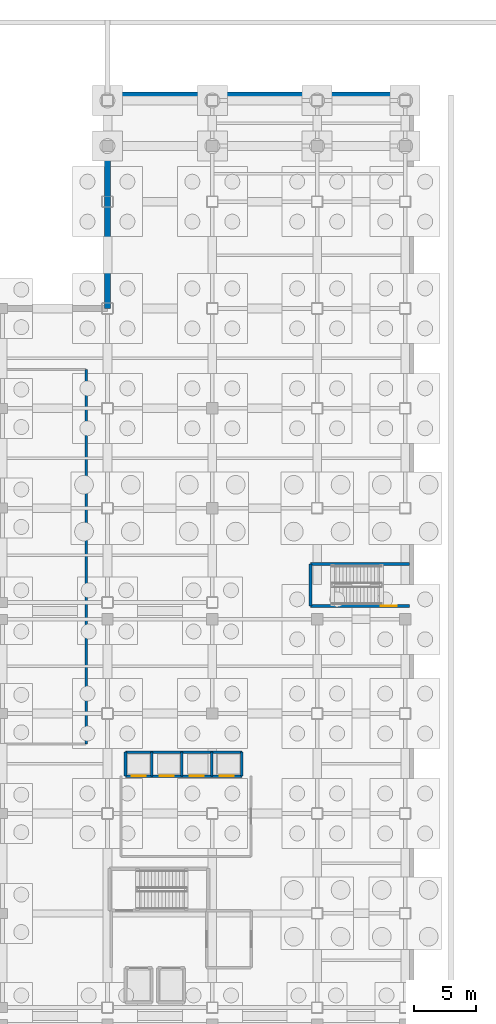
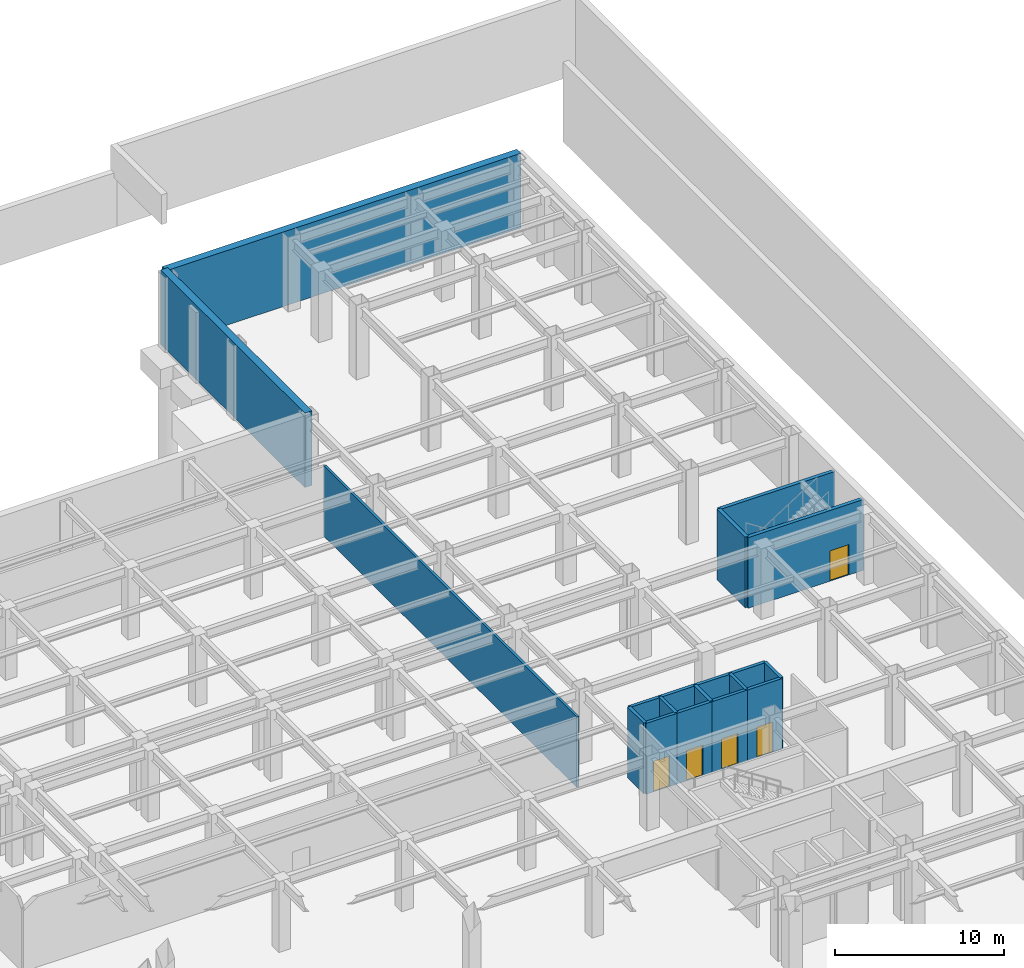
# One storey, part 39 of 55: 19 walls, 5 doors, 5 openings.
"""IFC4 building model written with IfcOpenShell, lengths in metres."""

from ifc_helpers import new_model, si_unit, direction, frame, frame_2d, origin, place, context, subcontext, project, spatial, rectangle, extrude, material, layer, layer_set, type_object, element, fill, save


model = new_model("IFC4")

# Units and contexts
model_context = context("Model", 3, precision=1e-05, world=origin(), true_north=direction((0.0, 1.0)))
body_context = subcontext(model_context, "Body", "Model", "MODEL_VIEW")
ifc_project = project(units=[si_unit("LENGTHUNIT", "METRE"), si_unit("AREAUNIT", "SQUARE_METRE"), si_unit("VOLUMEUNIT", "CUBIC_METRE"), si_unit("PLANEANGLEUNIT", "RADIAN"), si_unit("MASSUNIT", "GRAM", prefix="KILO")], contexts=[model_context])

# Site, building, storey
site_placement = place(None, origin())
site = spatial("IfcSite", under=ifc_project, at=site_placement, CompositionType="ELEMENT")
building_placement = place(site_placement, origin())
building = spatial("IfcBuilding", under=site, at=building_placement, Name="Kazehara Bluff Congress Hotel", CompositionType="ELEMENT")
storey_placement = place(building_placement, frame((0.0, 0.0, -5.39990234375)))
storey = spatial("IfcBuildingStorey", under=building, at=storey_placement, Name="B1", CompositionType="ELEMENT", Elevation=-5.39990234375)

# Walls
ifc_material_1 = material(Name="Concrete C40/50", Category="concrete")
ifc_layer_1 = layer(ifc_material_1, 0.25)
ifc_layer_set_1 = layer_set([ifc_layer_1], Name="Concrete C40/50")
wall_type_1 = type_object("IfcWallType", Name="TP-CW-RC", PredefinedType="SHEAR", material=ifc_layer_set_1)
wall_1_placement = place(storey_placement, frame((159.97509765625, 73.074951171875, 0.0), z_axis=(0.0, 0.0, 1.0), x_axis=(0.0, 1.0, 0.0)))
element("IfcWall", 1, at=wall_1_placement, inside=storey, type_object=wall_type_1, Name="B1 ST-12 core wall far", PredefinedType="SHEAR", context=body_context, shape_type="SweptSolid", body=[
    extrude(rectangle(XDim=3.35009765625, YDim=0.25, at=frame_2d((1.675048828125, 0.0))), origin(), (0.0, 0.0, 1.0), 5.119873046875),
])
wall_2_placement = place(storey_placement, frame((159.97509765625, 76.425048828125, 0.0), z_axis=(0.0, 0.0, 1.0), x_axis=(1.0, 0.0, 0.0)))
element("IfcWall", 2, at=wall_2_placement, inside=storey, type_object=wall_type_1, Name="B1 ST-12 core wall left", PredefinedType="SHEAR", context=body_context, shape_type="SweptSolid", body=[
    extrude(rectangle(XDim=7.89990234375, YDim=0.25, at=frame_2d((3.949951171875, 0.0))), origin(), (0.0, 0.0, 1.0), 5.119873046875),
])

# Wall, opening, door
wall_3_placement = place(storey_placement, frame((167.875, 73.074951171875, 0.0), z_axis=(0.0, 0.0, 1.0), x_axis=(-1.0, 0.0, 0.0)))
wall_3 = element("IfcWall", 3, at=wall_3_placement, inside=storey, type_object=wall_type_1, Name="B1 ST-12 core wall right", PredefinedType="SHEAR", context=body_context, shape_type="SweptSolid", body=[
    extrude(rectangle(XDim=7.89990234375, YDim=0.25, at=frame_2d((3.949951171875, 0.0))), origin(), (0.0, 0.0, 1.0), 5.119873046875),
])
opening_1_placement = place(wall_3_placement, frame((0.985107421875, 0.0, 0.0)))
opening_1 = element("IfcOpeningElement", 4, at=opening_1_placement, cuts=wall_3, Name="Opening FD-01", PredefinedType="OPENING", context=body_context, shape_type="SweptSolid", body=[
    extrude(rectangle(XDim=1.300048828125, YDim=2.199951171875, at=frame_2d((0.64990234375, 1.10009765625))), frame((0.0, 0.135009765625, 0.0), z_axis=(0.0, -1.0, 0.0), x_axis=(1.0, 0.0, 0.0)), (0.0, 0.0, 1.0), 0.27001953125),
])
ifc_material_2 = material(Name="Fire-rated painted steel leaf", Category="steel")
door_type_1 = type_object("IfcDoorType", Name="TP-FD-01", OperationType="NOTDEFINED", PredefinedType="DOOR", material=ifc_material_2)
door_1_placement = place(opening_1_placement, origin())
door_1 = element("IfcDoor", 5, at=door_1_placement, inside=storey, type_object=door_type_1, Name="B1 ST-12 fire stair door", OperationType="SINGLE_SWING_RIGHT", OverallHeight=2.199951171875, OverallWidth=1.300048828125, PredefinedType="DOOR", context=body_context, shape_type="SweptSolid", body=[
    extrude(rectangle(XDim=1.300048828125, YDim=2.199951171875, at=frame_2d((0.64990234375, 1.10009765625))), frame((0.0, 0.02490234375, 0.0), z_axis=(0.0, -1.0, 0.0), x_axis=(1.0, 0.0, 0.0)), (0.0, 0.0, 1.0), 0.050048828125),
])
fill(opening_1, door_1)

# Walls
ifc_material_3 = material(Name="Fire-rated gypsum board stud partition")
ifc_layer_2 = layer(ifc_material_3, 0.169921875)
ifc_layer_set_2 = layer_set([ifc_layer_2], Name="Fire-rated gypsum board stud partition")
wall_type_2 = type_object("IfcWallType", Name="TP-PT-180", PredefinedType="PARTITIONING", material=ifc_layer_set_2)
wall_4_placement = place(storey_placement, frame((142.0, 62.0, 0.0), z_axis=(0.0, 0.0, 1.0), x_axis=(0.0, 1.0, 0.0)))
element("IfcWall", 6, at=wall_4_placement, inside=storey, type_object=wall_type_2, Name="B1 partition PT-180 50", PredefinedType="PARTITIONING", context=body_context, shape_type="SweptSolid", body=[
    extrude(rectangle(XDim=30.0, YDim=0.169921875, at=frame_2d((15.0, 0.0))), origin(), (0.0, 0.0, 1.0), 5.10498046875),
])
ifc_material_4 = material(Name="Concrete C40/50", Category="concrete")
ifc_layer_3 = layer(ifc_material_4, 0.5)
ifc_layer_set_3 = layer_set([ifc_layer_3], Name="Concrete C40/50")
wall_type_3 = type_object("IfcWallType", Name="TP-RW-500", PredefinedType="USERDEFINED", material=ifc_layer_set_3)
wall_5_placement = place(storey_placement, frame((168.0, 114.0, 0.0), z_axis=(0.0, 0.0, 1.0), x_axis=(-1.0, 0.0, 0.0)))
element("IfcWall", 7, at=wall_5_placement, inside=storey, type_object=wall_type_3, Name="Basement perimeter retaining wall 7", ObjectType="RETAININGWALL", PredefinedType="USERDEFINED", context=body_context, shape_type="SweptSolid", body=[
    extrude(rectangle(XDim=24.300048828125, YDim=0.5, at=frame_2d((12.14990234375, 0.0))), origin(), (0.0, 0.0, 1.0), 5.39990234375),
])
wall_6_placement = place(storey_placement, frame((143.699951171875, 114.0, 0.0), z_axis=(0.0, 0.0, 1.0), x_axis=(0.0, -1.0, 0.0)))
element("IfcWall", 8, at=wall_6_placement, inside=storey, type_object=wall_type_3, Name="Basement perimeter retaining wall 8", ObjectType="RETAININGWALL", PredefinedType="USERDEFINED", context=body_context, shape_type="SweptSolid", body=[
    extrude(rectangle(XDim=17.10009765625, YDim=0.5, at=frame_2d((8.550048828125, 0.0))), origin(), (0.0, 0.0, 1.0), 5.39990234375),
])
ifc_material_5 = material(Name="Concrete C40/50", Category="concrete")
ifc_layer_4 = layer(ifc_material_5, 0.219970703125)
ifc_layer_set_4 = layer_set([ifc_layer_4], Name="Concrete C40/50")
wall_type_4 = type_object("IfcWallType", Name="TP-SW-RC", PredefinedType="SHEAR", material=ifc_layer_set_4)
wall_7_placement = place(storey_placement, frame((145.139892578125, 61.360107421875, 0.0), z_axis=(0.0, 0.0, 1.0), x_axis=(1.0, 0.0, 0.0)))
element("IfcWall", 9, at=wall_7_placement, inside=storey, type_object=wall_type_4, Name="B1 EL-P1 lift shaft wall +Y", PredefinedType="SHEAR", context=body_context, shape_type="SweptSolid", body=[
    extrude(rectangle(XDim=2.1201171875, YDim=0.219970703125, at=frame_2d((1.06005859375, 0.0))), origin(), (0.0, 0.0, 1.0), 5.119873046875),
])

# Wall, opening, door
wall_8_placement = place(storey_placement, frame((145.139892578125, 59.43994140625, 0.0), z_axis=(0.0, 0.0, 1.0), x_axis=(1.0, 0.0, 0.0)))
wall_8 = element("IfcWall", 10, at=wall_8_placement, inside=storey, type_object=wall_type_4, Name="B1 EL-P1 lift shaft wall -Y", PredefinedType="SHEAR", context=body_context, shape_type="SweptSolid", body=[
    extrude(rectangle(XDim=2.1201171875, YDim=0.219970703125, at=frame_2d((1.06005859375, 0.0))), origin(), (0.0, 0.0, 1.0), 5.119873046875),
])
opening_2_placement = place(wall_8_placement, frame((0.510009765625, 0.0, 0.0)))
opening_2 = element("IfcOpeningElement", 11, at=opening_2_placement, cuts=wall_8, Name="Opening LD-01", PredefinedType="OPENING", context=body_context, shape_type="SweptSolid", body=[
    extrude(rectangle(XDim=1.10009765625, YDim=2.199951171875, at=frame_2d((0.550048828125, 1.10009765625))), frame((0.0, 0.119873046875, 0.0), z_axis=(0.0, -1.0, 0.0), x_axis=(1.0, 0.0, 0.0)), (0.0, 0.0, 1.0), 0.239990234375),
])
ifc_material_6 = material(Name="Fire-rated painted steel leaf", Category="steel")
door_type_2 = type_object("IfcDoorType", Name="TP-LD-01", OperationType="SLIDING_TO_LEFT", PredefinedType="DOOR", material=ifc_material_6)
door_2_placement = place(opening_2_placement, origin())
door_2 = element("IfcDoor", 12, at=door_2_placement, inside=storey, type_object=door_type_2, Name="B1 EL-P1 elevator landing door", OperationType="SLIDING_TO_LEFT", OverallHeight=2.199951171875, OverallWidth=1.10009765625, PredefinedType="DOOR", context=body_context, shape_type="SweptSolid", body=[
    extrude(rectangle(XDim=1.10009765625, YDim=2.199951171875, at=frame_2d((0.550048828125, 1.10009765625))), frame((0.0, 0.02490234375, 0.0), z_axis=(0.0, -1.0, 0.0), x_axis=(1.0, 0.0, 0.0)), (0.0, 0.0, 1.0), 0.050048828125),
])
fill(opening_2, door_2)

# Walls
for number, where, z_axis, x_axis, name in (
    (13, (147.260009765625, 59.43994140625, 0.0), (0.0, 0.0, 1.0), (0.0, 1.0, 0.0), "B1 EL-P1 lift shaft wall +X"),
    (14, (145.139892578125, 59.43994140625, 0.0), (0.0, 0.0, 1.0), (0.0, 1.0, 0.0), "B1 EL-P1 lift shaft wall -X"),
):
    element("IfcWall", number, at=place(storey_placement, frame(where, z_axis=z_axis, x_axis=x_axis)), inside=storey, type_object=wall_type_4, Name=name, PredefinedType="SHEAR", context=body_context, shape_type="SweptSolid", body=[
        extrude(rectangle(XDim=1.920166015625, YDim=0.219970703125, at=frame_2d((0.9599609375, 0.0))), origin(), (0.0, 0.0, 1.0), 5.119873046875),
    ])
wall_9_placement = place(storey_placement, frame((147.260009765625, 61.360107421875, 0.0), z_axis=(0.0, 0.0, 1.0), x_axis=(1.0, 0.0, 0.0)))
element("IfcWall", 15, at=wall_9_placement, inside=storey, type_object=wall_type_4, Name="B1 EL-P2 lift shaft wall +Y", PredefinedType="SHEAR", context=body_context, shape_type="SweptSolid", body=[
    extrude(rectangle(XDim=2.39990234375, YDim=0.219970703125, at=frame_2d((1.199951171875, 0.0))), origin(), (0.0, 0.0, 1.0), 5.119873046875),
])

# Wall, opening, door
wall_10_placement = place(storey_placement, frame((147.260009765625, 59.43994140625, 0.0), z_axis=(0.0, 0.0, 1.0), x_axis=(1.0, 0.0, 0.0)))
wall_10 = element("IfcWall", 16, at=wall_10_placement, inside=storey, type_object=wall_type_4, Name="B1 EL-P2 lift shaft wall -Y", PredefinedType="SHEAR", context=body_context, shape_type="SweptSolid", body=[
    extrude(rectangle(XDim=2.39990234375, YDim=0.219970703125, at=frame_2d((1.199951171875, 0.0))), origin(), (0.0, 0.0, 1.0), 5.119873046875),
])
opening_3_placement = place(wall_10_placement, frame((0.64990234375, 0.0, 0.0)))
opening_3 = element("IfcOpeningElement", 17, at=opening_3_placement, cuts=wall_10, Name="Opening LD-01", PredefinedType="OPENING", context=body_context, shape_type="SweptSolid", body=[
    extrude(rectangle(XDim=1.10009765625, YDim=2.199951171875, at=frame_2d((0.550048828125, 1.10009765625))), frame((0.0, 0.119873046875, 0.0), z_axis=(0.0, -1.0, 0.0), x_axis=(1.0, 0.0, 0.0)), (0.0, 0.0, 1.0), 0.239990234375),
])
door_3_placement = place(opening_3_placement, origin())
door_3 = element("IfcDoor", 18, at=door_3_placement, inside=storey, type_object=door_type_2, Name="B1 EL-P2 elevator landing door", OperationType="SLIDING_TO_LEFT", OverallHeight=2.199951171875, OverallWidth=1.10009765625, PredefinedType="DOOR", context=body_context, shape_type="SweptSolid", body=[
    extrude(rectangle(XDim=1.10009765625, YDim=2.199951171875, at=frame_2d((0.550048828125, 1.10009765625))), frame((0.0, 0.02490234375, 0.0), z_axis=(0.0, -1.0, 0.0), x_axis=(1.0, 0.0, 0.0)), (0.0, 0.0, 1.0), 0.050048828125),
])
fill(opening_3, door_3)

# Walls
wall_11_placement = place(storey_placement, frame((149.659912109375, 59.43994140625, 0.0), z_axis=(0.0, 0.0, 1.0), x_axis=(0.0, 1.0, 0.0)))
element("IfcWall", 19, at=wall_11_placement, inside=storey, type_object=wall_type_4, Name="B1 EL-P2 lift shaft wall +X", PredefinedType="SHEAR", context=body_context, shape_type="SweptSolid", body=[
    extrude(rectangle(XDim=1.920166015625, YDim=0.219970703125, at=frame_2d((0.9599609375, 0.0))), origin(), (0.0, 0.0, 1.0), 5.119873046875),
])
wall_12_placement = place(storey_placement, frame((149.659912109375, 61.360107421875, 0.0), z_axis=(0.0, 0.0, 1.0), x_axis=(1.0, 0.0, 0.0)))
element("IfcWall", 20, at=wall_12_placement, inside=storey, type_object=wall_type_4, Name="B1 EL-P3 lift shaft wall +Y", PredefinedType="SHEAR", context=body_context, shape_type="SweptSolid", body=[
    extrude(rectangle(XDim=2.400146484375, YDim=0.219970703125, at=frame_2d((1.2001953125, 0.0))), origin(), (0.0, 0.0, 1.0), 5.119873046875),
])

# Wall, opening, door
wall_13_placement = place(storey_placement, frame((149.659912109375, 59.43994140625, 0.0), z_axis=(0.0, 0.0, 1.0), x_axis=(1.0, 0.0, 0.0)))
wall_13 = element("IfcWall", 21, at=wall_13_placement, inside=storey, type_object=wall_type_4, Name="B1 EL-P3 lift shaft wall -Y", PredefinedType="SHEAR", context=body_context, shape_type="SweptSolid", body=[
    extrude(rectangle(XDim=2.400146484375, YDim=0.219970703125, at=frame_2d((1.2001953125, 0.0))), origin(), (0.0, 0.0, 1.0), 5.119873046875),
])
opening_4_placement = place(wall_13_placement, frame((0.64990234375, 0.0, 0.0)))
opening_4 = element("IfcOpeningElement", 22, at=opening_4_placement, cuts=wall_13, Name="Opening LD-01", PredefinedType="OPENING", context=body_context, shape_type="SweptSolid", body=[
    extrude(rectangle(XDim=1.10009765625, YDim=2.199951171875, at=frame_2d((0.550048828125, 1.10009765625))), frame((0.0, 0.119873046875, 0.0), z_axis=(0.0, -1.0, 0.0), x_axis=(1.0, 0.0, 0.0)), (0.0, 0.0, 1.0), 0.239990234375),
])
door_4_placement = place(opening_4_placement, origin())
door_4 = element("IfcDoor", 23, at=door_4_placement, inside=storey, type_object=door_type_2, Name="B1 EL-P3 elevator landing door", OperationType="SLIDING_TO_LEFT", OverallHeight=2.199951171875, OverallWidth=1.10009765625, PredefinedType="DOOR", context=body_context, shape_type="SweptSolid", body=[
    extrude(rectangle(XDim=1.10009765625, YDim=2.199951171875, at=frame_2d((0.550048828125, 1.10009765625))), frame((0.0, 0.02490234375, 0.0), z_axis=(0.0, -1.0, 0.0), x_axis=(1.0, 0.0, 0.0)), (0.0, 0.0, 1.0), 0.050048828125),
])
fill(opening_4, door_4)

# Walls
wall_14_placement = place(storey_placement, frame((152.06005859375, 59.43994140625, 0.0), z_axis=(0.0, 0.0, 1.0), x_axis=(0.0, 1.0, 0.0)))
element("IfcWall", 24, at=wall_14_placement, inside=storey, type_object=wall_type_4, Name="B1 EL-P3 lift shaft wall +X", PredefinedType="SHEAR", context=body_context, shape_type="SweptSolid", body=[
    extrude(rectangle(XDim=1.920166015625, YDim=0.219970703125, at=frame_2d((0.9599609375, 0.0))), origin(), (0.0, 0.0, 1.0), 5.119873046875),
])
wall_15_placement = place(storey_placement, frame((152.06005859375, 61.360107421875, 0.0), z_axis=(0.0, 0.0, 1.0), x_axis=(1.0, 0.0, 0.0)))
element("IfcWall", 25, at=wall_15_placement, inside=storey, type_object=wall_type_4, Name="B1 EL-P4 lift shaft wall +Y", PredefinedType="SHEAR", context=body_context, shape_type="SweptSolid", body=[
    extrude(rectangle(XDim=2.39990234375, YDim=0.219970703125, at=frame_2d((1.199951171875, 0.0))), origin(), (0.0, 0.0, 1.0), 5.119873046875),
])

# Wall, opening, door
wall_16_placement = place(storey_placement, frame((152.06005859375, 59.43994140625, 0.0), z_axis=(0.0, 0.0, 1.0), x_axis=(1.0, 0.0, 0.0)))
wall_16 = element("IfcWall", 26, at=wall_16_placement, inside=storey, type_object=wall_type_4, Name="B1 EL-P4 lift shaft wall -Y", PredefinedType="SHEAR", context=body_context, shape_type="SweptSolid", body=[
    extrude(rectangle(XDim=2.39990234375, YDim=0.219970703125, at=frame_2d((1.199951171875, 0.0))), origin(), (0.0, 0.0, 1.0), 5.119873046875),
])
opening_5_placement = place(wall_16_placement, frame((0.64990234375, 0.0, 0.0)))
opening_5 = element("IfcOpeningElement", 27, at=opening_5_placement, cuts=wall_16, Name="Opening LD-01", PredefinedType="OPENING", context=body_context, shape_type="SweptSolid", body=[
    extrude(rectangle(XDim=1.10009765625, YDim=2.199951171875, at=frame_2d((0.550048828125, 1.10009765625))), frame((0.0, 0.119873046875, 0.0), z_axis=(0.0, -1.0, 0.0), x_axis=(1.0, 0.0, 0.0)), (0.0, 0.0, 1.0), 0.239990234375),
])
door_5_placement = place(opening_5_placement, origin())
door_5 = element("IfcDoor", 28, at=door_5_placement, inside=storey, type_object=door_type_2, Name="B1 EL-P4 elevator landing door", OperationType="SLIDING_TO_LEFT", OverallHeight=2.199951171875, OverallWidth=1.10009765625, PredefinedType="DOOR", context=body_context, shape_type="SweptSolid", body=[
    extrude(rectangle(XDim=1.10009765625, YDim=2.199951171875, at=frame_2d((0.550048828125, 1.10009765625))), frame((0.0, 0.02490234375, 0.0), z_axis=(0.0, -1.0, 0.0), x_axis=(1.0, 0.0, 0.0)), (0.0, 0.0, 1.0), 0.050048828125),
])
fill(opening_5, door_5)

# Wall
wall_17_placement = place(storey_placement, frame((154.4599609375, 59.43994140625, 0.0), z_axis=(0.0, 0.0, 1.0), x_axis=(0.0, 1.0, 0.0)))
element("IfcWall", 29, at=wall_17_placement, inside=storey, type_object=wall_type_4, Name="B1 EL-P4 lift shaft wall +X", PredefinedType="SHEAR", context=body_context, shape_type="SweptSolid", body=[
    extrude(rectangle(XDim=1.920166015625, YDim=0.219970703125, at=frame_2d((0.9599609375, 0.0))), origin(), (0.0, 0.0, 1.0), 5.119873046875),
])

save(model, "model.ifc")
